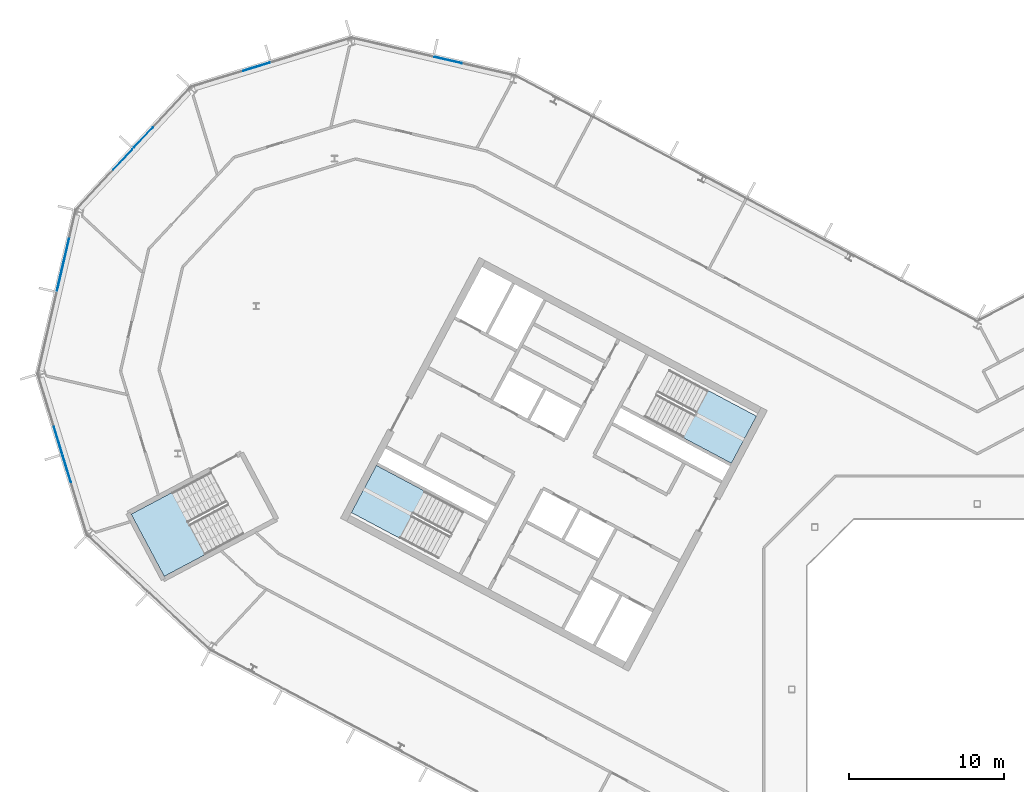
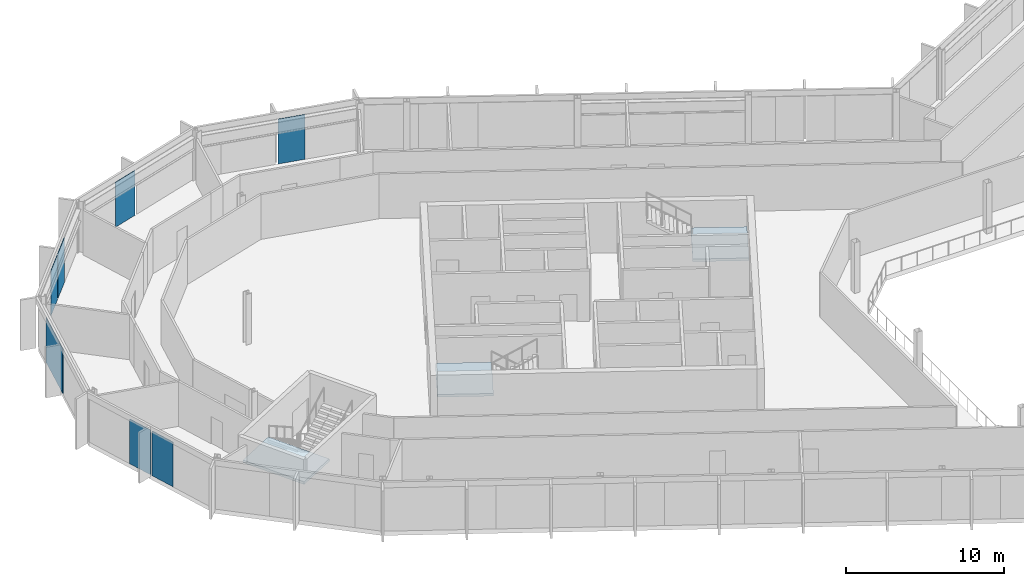
# One storey, part 11 of 26: 7 plates, 3 slabs, 8 elements without a shape of their own.
"""IFC4 building model written with IfcOpenShell, lengths in metres."""

from ifc_helpers import new_model, si_unit, direction, frame, origin, origin_2d, place, context, subcontext, project, spatial, polyline, rectangle, outline, extrude, material, layer, layer_set, type_object, element, aggregate, save


model = new_model("IFC4")

# Units and contexts
model_context = context("Model", 3, precision=1e-05, world=origin(), true_north=direction((0.0, 1.0)))
body_context = subcontext(model_context, "Body", "Model", "MODEL_VIEW")
ifc_project = project(units=[si_unit("LENGTHUNIT", "METRE"), si_unit("AREAUNIT", "SQUARE_METRE"), si_unit("VOLUMEUNIT", "CUBIC_METRE"), si_unit("PLANEANGLEUNIT", "RADIAN"), si_unit("MASSUNIT", "GRAM", prefix="KILO")], contexts=[model_context])

# Site, building, storey
site_placement = place(None, origin())
site = spatial("IfcSite", under=ifc_project, at=site_placement, CompositionType="ELEMENT")
building_placement = place(site_placement, origin())
building = spatial("IfcBuilding", under=site, at=building_placement, Name="Cormorant Relay Tower", CompositionType="ELEMENT")
storey_placement = place(building_placement, frame((0.0, 0.0, 316.5)))
storey = spatial("IfcBuildingStorey", under=building, at=storey_placement, Name="L72", CompositionType="ELEMENT", Elevation=316.5)

# Curtain wall, plate
ifc_material_1 = material(Name="Aluminium 6063-T6 anodised bronze", Category="aluminium")
ifc_layer_1 = layer(ifc_material_1, 0.199951171875)
ifc_layer_set_1 = layer_set([ifc_layer_1], Name="CW1 unitised bronze curtain wall with vertical fins")
curtain_wall_type = type_object("IfcCurtainWallType", Name="CW1 unitised bronze curtain wall with vertical fins", PredefinedType="NOTDEFINED", material=ifc_layer_set_1)
curtain_wall_1_placement = place(storey_placement, origin())
curtain_wall_1 = element("IfcCurtainWall", 1, at=curtain_wall_1_placement, inside=storey, type_object=curtain_wall_type, Name="CW1 curtain wall 10", PredefinedType="NOTDEFINED")
ifc_material_2 = material(Name="Tinted laminated glass", Category="glass")
ifc_layer_2 = layer(ifc_material_2, 0.0400390625)
ifc_layer_set_2 = layer_set([ifc_layer_2], Name="CW1 tinted vision panel 1800 module")
plate_type_1 = type_object("IfcPlateType", Name="CW1 tinted vision panel 1800 module", PredefinedType="CURTAIN_PANEL", material=ifc_layer_set_2)
plate_1_placement = place(storey_placement, frame((-34.215087890625, 40.69091796875, 0.0), z_axis=(0.0, 0.0, 1.0), x_axis=(-0.974370064785, 0.224951054344, 0.0)))
plate_1 = element("IfcPlate", 2, at=plate_1_placement, type_object=plate_type_1, Name="CW1 panel V01", PredefinedType="CURTAIN_PANEL", context=body_context, shape_type="SweptSolid", body=[
    extrude(rectangle(XDim=1.800048828125, YDim=0.0400390625, at=origin_2d()), origin(), (0.0, 0.0, 1.0), 3.449951171875),
])
aggregate(curtain_wall_1, [plate_1])

curtain_wall_2_placement = place(storey_placement, origin())
curtain_wall_2 = element("IfcCurtainWall", 3, at=curtain_wall_2_placement, inside=storey, type_object=curtain_wall_type, Name="CW1 curtain wall 11", PredefinedType="NOTDEFINED")
plate_2_placement = place(storey_placement, frame((-46.6015625, 40.25830078125, 0.0), z_axis=(0.0, 0.0, 1.0), x_axis=(-0.956304755963, -0.292371704723, 0.0)))
plate_2 = element("IfcPlate", 4, at=plate_2_placement, type_object=plate_type_1, Name="CW1 panel V01", PredefinedType="CURTAIN_PANEL", context=body_context, shape_type="SweptSolid", body=[
    extrude(rectangle(XDim=1.800048828125, YDim=0.0400390625, at=origin_2d()), origin(), (0.0, 0.0, 1.0), 3.449951171875),
])
aggregate(curtain_wall_2, [plate_2])

# Curtain wall, plates
curtain_wall_3_placement = place(storey_placement, origin())
curtain_wall_3 = element("IfcCurtainWall", 5, at=curtain_wall_3_placement, inside=storey, type_object=curtain_wall_type, Name="CW1 curtain wall 12", PredefinedType="NOTDEFINED")
plate_3_placement = place(storey_placement, frame((-53.91748046875, 35.68701171875, 0.0), z_axis=(0.0, 0.0, 1.0), x_axis=(-0.681998360062, -0.731353701619, 0.0)))
plate_3 = element("IfcPlate", 6, at=plate_3_placement, type_object=plate_type_1, Name="CW1 panel V01", PredefinedType="CURTAIN_PANEL", context=body_context, shape_type="SweptSolid", body=[
    extrude(rectangle(XDim=1.800048828125, YDim=0.0400390625, at=origin_2d()), origin(), (0.0, 0.0, 1.0), 3.449951171875),
])
plate_4_placement = place(storey_placement, frame((-55.247314453125, 34.2607421875, 0.0), z_axis=(0.0, 0.0, 1.0), x_axis=(-0.681998360062, -0.731353701619, 0.0)))
plate_4 = element("IfcPlate", 7, at=plate_4_placement, type_object=plate_type_1, Name="CW1 panel V02", PredefinedType="CURTAIN_PANEL", context=body_context, shape_type="SweptSolid", body=[
    extrude(rectangle(XDim=1.800048828125, YDim=0.0400390625, at=origin_2d()), origin(), (0.0, 0.0, 1.0), 3.449951171875),
])
aggregate(curtain_wall_3, [plate_3, plate_4])

curtain_wall_4_placement = place(storey_placement, origin())
curtain_wall_4 = element("IfcCurtainWall", 8, at=curtain_wall_4_placement, inside=storey, type_object=curtain_wall_type, Name="CW1 curtain wall 14", PredefinedType="NOTDEFINED")
plate_5_placement = place(storey_placement, frame((-59.434814453125, 16.122314453125, 0.0), z_axis=(0.0, 0.0, 1.0), x_axis=(0.292371704723, -0.956304755963, 0.0)))
plate_5 = element("IfcPlate", 9, at=plate_5_placement, type_object=plate_type_1, Name="CW1 panel V01", PredefinedType="CURTAIN_PANEL", context=body_context, shape_type="SweptSolid", body=[
    extrude(rectangle(XDim=1.800048828125, YDim=0.0400390625, at=origin_2d()), origin(), (0.0, 0.0, 1.0), 3.449951171875),
])
plate_6_placement = place(storey_placement, frame((-58.86474609375, 14.25732421875, 0.0), z_axis=(0.0, 0.0, 1.0), x_axis=(0.292371704723, -0.956304755963, 0.0)))
plate_6 = element("IfcPlate", 10, at=plate_6_placement, type_object=plate_type_1, Name="CW1 panel V02", PredefinedType="CURTAIN_PANEL", context=body_context, shape_type="SweptSolid", body=[
    extrude(rectangle(XDim=1.800048828125, YDim=0.0400390625, at=origin_2d()), origin(), (0.0, 0.0, 1.0), 3.449951171875),
])
aggregate(curtain_wall_4, [plate_5, plate_6])

# Curtain wall, plate
curtain_wall_5_placement = place(storey_placement, origin())
curtain_wall_5 = element("IfcCurtainWall", 11, at=curtain_wall_5_placement, inside=storey, type_object=curtain_wall_type, Name="CW1 curtain wall 13", PredefinedType="NOTDEFINED")
ifc_material_3 = material(Name="Tinted laminated glass", Category="glass")
ifc_layer_3 = layer(ifc_material_3, 0.0400390625)
ifc_layer_set_3 = layer_set([ifc_layer_3], Name="CW1 tinted vision panel 3600 module")
plate_type_2 = type_object("IfcPlateType", Name="CW1 tinted vision panel 3600 module", PredefinedType="CURTAIN_PANEL", material=ifc_layer_set_3)
plate_7_placement = place(storey_placement, frame((-59.094970703125, 27.520751953125, 0.0), z_axis=(0.0, 0.0, 1.0), x_axis=(-0.224951054344, -0.974370064785, 0.0)))
plate_7 = element("IfcPlate", 12, at=plate_7_placement, type_object=plate_type_2, Name="CW1 panel V01", PredefinedType="CURTAIN_PANEL", context=body_context, shape_type="SweptSolid", body=[
    extrude(rectangle(XDim=3.60009765625, YDim=0.0400390625, at=origin_2d()), origin(), (0.0, 0.0, 1.0), 3.449951171875),
])
aggregate(curtain_wall_5, [plate_7])

# Stair, slab
ifc_material_4 = material(Name="Concrete 40 MPa", Category="concrete")
stair_type_1 = type_object("IfcStairType", Name="Exit stair 1500", PredefinedType="HALF_TURN_STAIR", material=ifc_material_4)
stair_1_placement = place(storey_placement, origin())
stair_1 = element("IfcStair", 13, at=stair_1_placement, inside=storey, type_object=stair_type_1, Name="L72 Stair", PredefinedType="HALF_TURN_STAIR")
ifc_material_5 = material(Name="Concrete 40 MPa", Category="concrete")
ifc_layer_4 = layer(ifc_material_5, 0.199951171875)
ifc_layer_set_4 = layer_set([ifc_layer_4], Name="Exit stair landing 200")
slab_type = type_object("IfcSlabType", Name="Exit stair landing 200", PredefinedType="LANDING", material=ifc_layer_set_4)
slab_1_placement = place(storey_placement, frame((0.0, 0.0, 1.75)))
slab_1 = element("IfcSlab", 14, at=slab_1_placement, type_object=slab_type, Name="A1 landing 1", PredefinedType="LANDING", context=body_context, shape_type="SweptSolid", body=[
    extrude(outline(polyline([(-19.029541015625, 16.29052734375), (-15.89501953125, 14.6240234375), (-14.275390625, 17.670166015625), (-17.40966796875, 19.3369140625), (-19.029541015625, 16.29052734375)])), origin(), (0.0, 0.0, 1.0), 0.199951171875),
])
aggregate(stair_1, [slab_1])

stair_2_placement = place(storey_placement, origin())
stair_2 = element("IfcStair", 15, at=stair_2_placement, inside=storey, type_object=stair_type_1, Name="L72 Stair", PredefinedType="HALF_TURN_STAIR")
slab_2_placement = place(storey_placement, frame((0.0, 0.0, 1.75)))
slab_2 = element("IfcSlab", 16, at=slab_2_placement, type_object=slab_type, Name="A2 landing 1", PredefinedType="LANDING", context=body_context, shape_type="SweptSolid", body=[
    extrude(outline(polyline([(-35.71337890625, 12.816650390625), (-38.84765625, 14.483154296875), (-40.467529296875, 11.43701171875), (-37.3330078125, 9.7705078125), (-35.71337890625, 12.816650390625)])), origin(), (0.0, 0.0, 1.0), 0.199951171875),
])
aggregate(stair_2, [slab_2])

ifc_material_6 = material(Name="Concrete 40 MPa", Category="concrete")
stair_type_2 = type_object("IfcStairType", Name="Remote exit stair 2200", PredefinedType="HALF_TURN_STAIR", material=ifc_material_6)
stair_3_placement = place(storey_placement, origin())
stair_3 = element("IfcStair", 17, at=stair_3_placement, inside=storey, type_object=stair_type_2, Name="L72 Stair", PredefinedType="HALF_TURN_STAIR")
slab_3_placement = place(storey_placement, frame((0.0, 0.0, 1.75)))
slab_3 = element("IfcSlab", 18, at=slab_3_placement, type_object=slab_type, Name="RP1 landing 1", PredefinedType="LANDING", context=body_context, shape_type="SweptSolid", body=[
    extrude(outline(polyline([(-52.051025390625, 12.7392578125), (-54.699951171875, 11.330810546875), (-52.563720703125, 7.3134765625), (-49.914794921875, 8.721923828125), (-52.051025390625, 12.7392578125)])), origin(), (0.0, 0.0, 1.0), 0.199951171875),
])
aggregate(stair_3, [slab_3])

save(model, "model.ifc")
